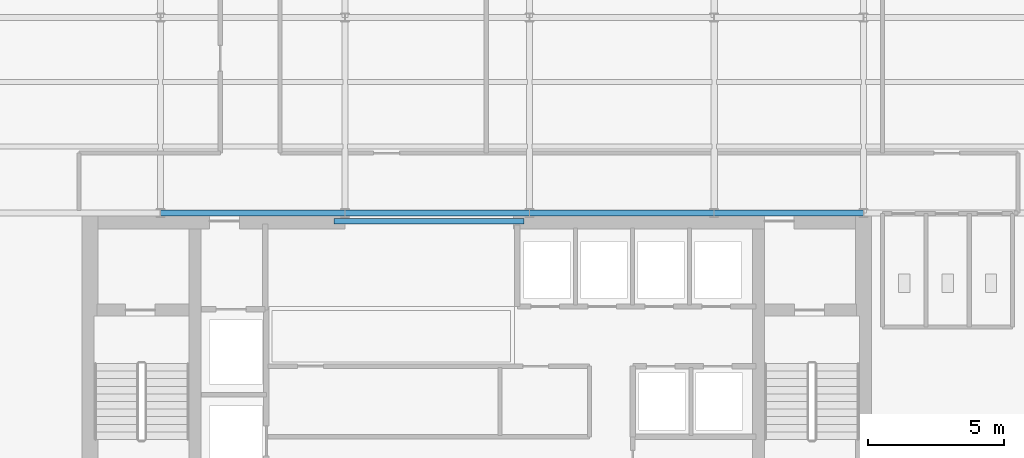
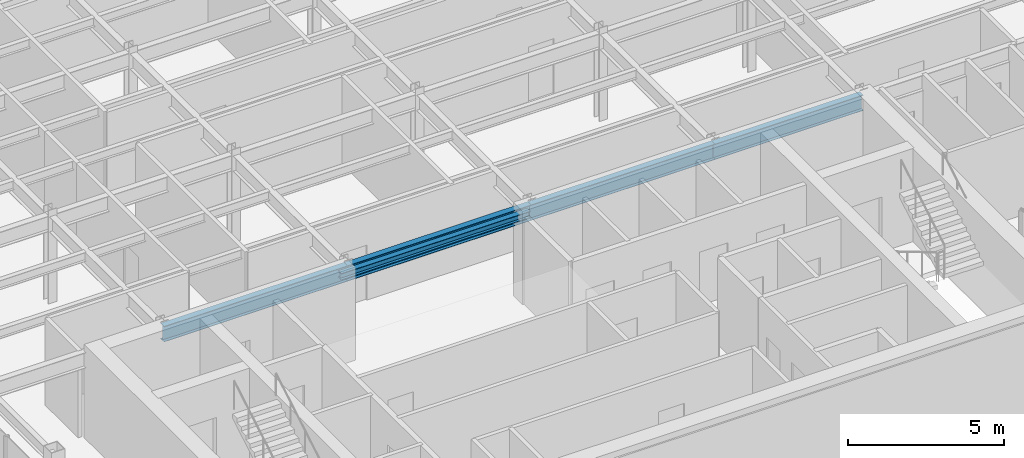
# One storey, part 4 of 22: 5 beams.
"""IFC4 building model written with IfcOpenShell, lengths in metres."""

from ifc_helpers import new_model, si_unit, derived_unit, direction, frame, origin, origin_2d, place, context, subcontext, project, spatial, i_section, extrude, source, transform, mapped, material, material_profile, profile_set, type_object, element, save


model = new_model("IFC4")

# Units and contexts
model_context = context("Model", 3, precision=1e-05, world=origin(), true_north=direction((0.0, 1.0)))
body_context = subcontext(model_context, "Body", "Model", "MODEL_VIEW")
ifc_project = project(units=[si_unit("LENGTHUNIT", "METRE"), si_unit("AREAUNIT", "SQUARE_METRE"), si_unit("VOLUMEUNIT", "CUBIC_METRE"), si_unit("PLANEANGLEUNIT", "RADIAN"), si_unit("MASSUNIT", "GRAM", prefix="KILO"), derived_unit("THERMALTRANSMITTANCEUNIT", [(si_unit("POWERUNIT", "WATT"), 1), (si_unit("LENGTHUNIT", "METRE"), -2), (si_unit("THERMODYNAMICTEMPERATUREUNIT", "KELVIN"), -1)])], contexts=[model_context])

# Site, building, storey
site_placement = place(None, origin())
site = spatial("IfcSite", under=ifc_project, at=site_placement, CompositionType="ELEMENT")
building_placement = place(site_placement, origin())
building = spatial("IfcBuilding", under=site, at=building_placement, Name="Skarnbrae Concourse Arena and Tower", CompositionType="ELEMENT")
storey_placement = place(building_placement, frame((0.0, 0.0, 210.5)))
storey = spatial("IfcBuildingStorey", under=building, at=storey_placement, Name="L54", CompositionType="ELEMENT", Elevation=210.5)

# Beams
ifc_material = material(Name="Steel CSA G40.21 350W", Category="steel")
ifc_material_profile_1 = material_profile(ifc_material, i_section(OverallWidth=0.202880859375, OverallDepth=0.251953125, WebThickness=0.008056640625, FlangeThickness=0.013427734375, at=origin_2d()), Name="W250X58")
ifc_profile_set_1 = profile_set([ifc_material_profile_1], Name="Steel CSA G40.21 350W")
beam_type_1 = type_object("IfcBeamType", Name="BM-LINTEL-W250X58", PredefinedType="LINTEL", material=ifc_profile_set_1)
shared_shape_1 = source(origin(), body_context, "Body", "SweptSolid", [
    extrude(i_section(OverallWidth=0.202880859375, OverallDepth=0.251953125, WebThickness=0.008056640625, FlangeThickness=0.013427734375, at=origin_2d()), origin(), (0.0, 0.0, 1.0), 7.0),
])
beam_1_placement = place(storey_placement, frame((14.0, 13.699951171875, 3.27392578125), z_axis=(1.0, 0.0, 0.0), x_axis=(0.0, 1.0, 0.0)))
element("IfcBeam", 1, at=beam_1_placement, inside=storey, type_object=beam_type_1, Name="L54 Core portal coupling lintel", PredefinedType="LINTEL", context=body_context, shape_type="MappedRepresentation", body=[
    mapped(shared_shape_1, transform((0.0, 0.0, 0.0))),
])
ifc_material_profile_2 = material_profile(ifc_material, i_section(OverallWidth=0.22802734375, OverallDepth=0.60791015625, WebThickness=0.01123046875, FlangeThickness=0.017333984375, at=origin_2d()), Name="W610X113")
ifc_profile_set_2 = profile_set([ifc_material_profile_2], Name="Steel CSA G40.21 350W")
beam_type_2 = type_object("IfcBeamType", Name="BM-GIRD-W610X113", PredefinedType="BEAM", material=ifc_profile_set_2)
shared_shape_2 = source(origin(), body_context, "Body", "SweptSolid", [
    extrude(i_section(OverallWidth=0.22802734375, OverallDepth=0.60791015625, WebThickness=0.01123046875, FlangeThickness=0.017333984375, at=origin_2d()), origin(), (0.0, 0.0, 1.0), 6.7998046875),
])
beam_2_placement = place(storey_placement, frame((7.60009765625, 14.0, 3.095947265625), z_axis=(1.0, 0.0, 0.0), x_axis=(0.0, 1.0, 0.0)))
element("IfcBeam", 2, at=beam_2_placement, inside=storey, type_object=beam_type_2, Name="L54 Primary E-W girder Y14.0-2", PredefinedType="BEAM", context=body_context, shape_type="MappedRepresentation", body=[
    mapped(shared_shape_2, transform((0.0, 0.0, 0.0))),
])
shared_shape_3 = source(origin(), body_context, "Body", "SweptSolid", [
    extrude(i_section(OverallWidth=0.22802734375, OverallDepth=0.60791015625, WebThickness=0.01123046875, FlangeThickness=0.017333984375, at=origin_2d()), origin(), (0.0, 0.0, 1.0), 6.800048828125),
])
for number, where, z_axis, x_axis, name in (
    (3, (14.39990234375, 14.0, 3.095947265625), (1.0, 0.0, 0.0), (0.0, 1.0, 0.0), "L54 Primary E-W girder Y14.0-3"),
    (4, (21.199951171875, 14.0, 3.095947265625), (1.0, 0.0, 0.0), (0.0, 1.0, 0.0), "L54 Primary E-W girder Y14.0-4"),
):
    element("IfcBeam", number, at=place(storey_placement, frame(where, z_axis=z_axis, x_axis=x_axis)), inside=storey, type_object=beam_type_2, Name=name, PredefinedType="BEAM", context=body_context, shape_type="MappedRepresentation", body=[
        mapped(shared_shape_3, transform((0.0, 0.0, 0.0))),
    ])
shared_shape_4 = source(origin(), body_context, "Body", "SweptSolid", [
    extrude(i_section(OverallWidth=0.22802734375, OverallDepth=0.60791015625, WebThickness=0.01123046875, FlangeThickness=0.017333984375, at=origin_2d()), origin(), (0.0, 0.0, 1.0), 5.5),
])
beam_3_placement = place(storey_placement, frame((28.0, 14.0, 3.095947265625), z_axis=(1.0, 0.0, 0.0), x_axis=(0.0, 1.0, 0.0)))
element("IfcBeam", 5, at=beam_3_placement, inside=storey, type_object=beam_type_2, Name="L54 Primary E-W girder Y14.0-5", PredefinedType="BEAM", context=body_context, shape_type="MappedRepresentation", body=[
    mapped(shared_shape_4, transform((0.0, 0.0, 0.0))),
])

save(model, "model.ifc")
